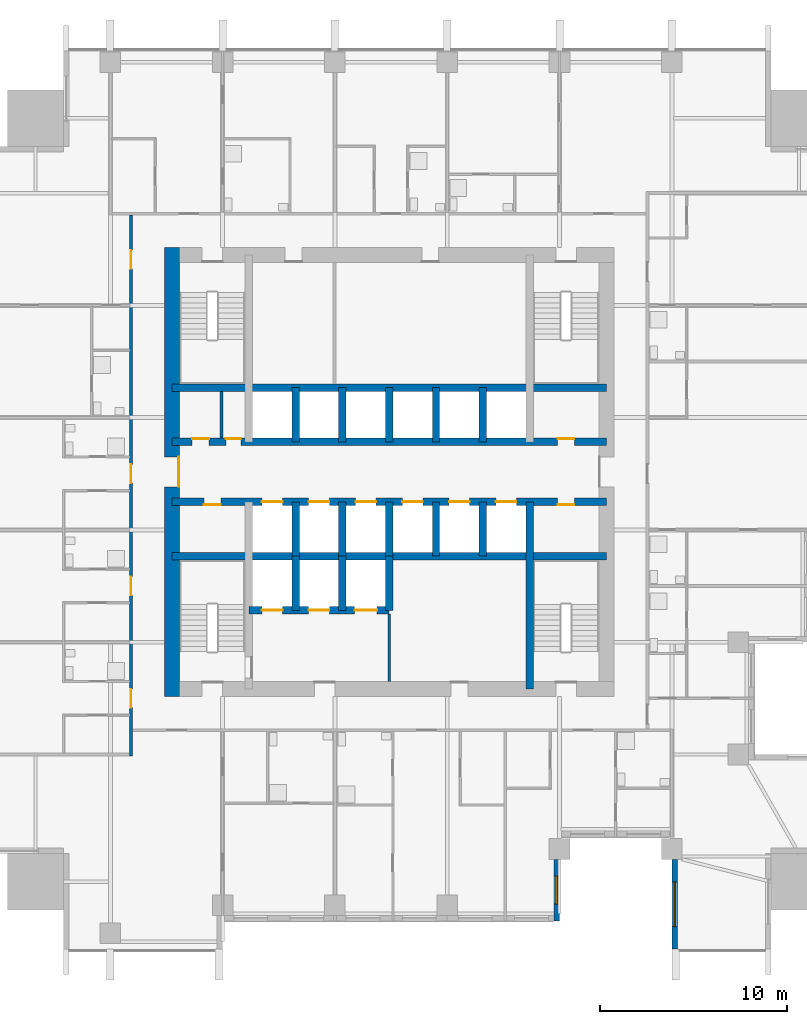
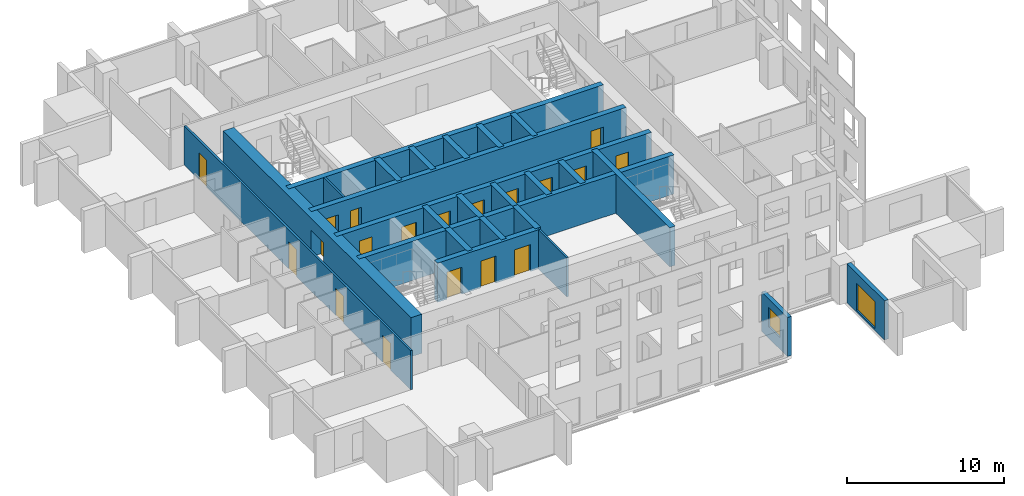
# One storey, part 5 of 11: 25 walls, 19 doors, 2 windows, 21 openings.
"""IFC4 building model written with IfcOpenShell, lengths in metres."""

import ifcopenshell
import ifcopenshell.guid

model = None  # the IFC model being written
_history = None  # IfcOwnerHistory: only IFC2X3 demands one
_inside = {}  # id of a spatial element -> (the spatial element, [elements in it])
_under = {}  # id of a project, library or spatial element -> (it, [spatial elements below it])
_declared = {}  # id of a project -> (the project, [libraries it declares])
_typed = {}  # id of a type object -> (the type object, [elements of that type])
_made_of = {}  # id of a material, layer set ... -> (it, [elements and type objects made of it])


def new_model(schema):
    """Start an empty IFC model of exactly this schema.

    Asked for "IFC4X3", IfcOpenShell would pick the latest addendum, in which some entities
    have other attributes; the version numbers below select the first issue.
    IFC2X3 requires an IfcOwnerHistory on every rooted entity: one is made here for all.
    """
    global model, _history
    if schema == "IFC4X3":
        model = ifcopenshell.file(schema_version=(4, 3, 0, 0))
    else:
        model = ifcopenshell.file(schema=schema)
    _inside.clear()
    _under.clear()
    _declared.clear()
    _typed.clear()
    _made_of.clear()
    _history = None
    if model.schema == "IFC2X3":
        org = make("IfcOrganization", Name="unknown")
        user = make(
            "IfcPersonAndOrganization",
            ThePerson=make("IfcPerson", FamilyName="unknown"),
            TheOrganization=org,
        )
        app = make(
            "IfcApplication",
            ApplicationDeveloper=org,
            Version="unknown",
            ApplicationFullName="unknown",
            ApplicationIdentifier="unknown",
        )
        _history = make(
            "IfcOwnerHistory",
            OwningUser=user,
            OwningApplication=app,
            ChangeAction="ADDED",
            CreationDate=0,
        )
    return model


def make(cls, **values):
    """One entity of the class cls with the attributes given. An attribute that is None is left unset."""
    return model.create_entity(
        cls, **{name: value for name, value in values.items() if value is not None}
    )


def rooted(cls, **values):
    """An entity with a GlobalId (a new one), such as an element, a storey or a relation."""
    return make(cls, GlobalId=ifcopenshell.guid.new(), OwnerHistory=_history, **values)


def si_unit(unit_type, name, prefix=None):
    """IfcSIUnit, for example si_unit("LENGTHUNIT", "METRE", prefix="MILLI")."""
    return make("IfcSIUnit", UnitType=unit_type, Prefix=prefix, Name=name)


def assignment(units):
    """IfcUnitAssignment: the units of a project."""
    return None if units is None else make("IfcUnitAssignment", Units=units)


def point(xyz):
    """IfcCartesianPoint."""
    return None if xyz is None else make("IfcCartesianPoint", Coordinates=xyz)


def direction(xyz):
    """IfcDirection."""
    return None if xyz is None else make("IfcDirection", DirectionRatios=xyz)


def frame(location, z_axis=None, x_axis=None):
    """IfcAxis2Placement3D, a coordinate frame: its origin and axes. An axis left out is left unset."""
    return make(
        "IfcAxis2Placement3D",
        Location=point(location),
        Axis=direction(z_axis),
        RefDirection=direction(x_axis),
    )


def frame_2d(location, x_axis=None):
    """IfcAxis2Placement2D, a coordinate frame in the plane: its origin and x axis."""
    return make(
        "IfcAxis2Placement2D", Location=point(location), RefDirection=direction(x_axis)
    )


def origin():
    """The frame at (0, 0, 0) with its axes left unset."""
    return frame((0.0, 0.0, 0.0))


def place(relative_to, where):
    """IfcLocalPlacement: puts the frame where relative to a parent placement (None: the world)."""
    return make(
        "IfcLocalPlacement", PlacementRelTo=relative_to, RelativePlacement=where
    )


def context(
    kind, dimensions, precision=None, world=None, true_north=None, identifier=None
):
    """IfcGeometricRepresentationContext, for example the 3D "Model" context."""
    return make(
        "IfcGeometricRepresentationContext",
        ContextIdentifier=identifier,
        ContextType=kind,
        CoordinateSpaceDimension=dimensions,
        Precision=precision,
        WorldCoordinateSystem=world,
        TrueNorth=true_north,
    )


def subcontext(parent, identifier, kind, view, scale=None):
    """IfcGeometricRepresentationSubContext, for example "Body" below "Model"."""
    return make(
        "IfcGeometricRepresentationSubContext",
        ContextIdentifier=identifier,
        ContextType=kind,
        ParentContext=parent,
        TargetScale=scale,
        TargetView=view,
    )


def project(units=None, contexts=None):
    """IfcProject with its units and contexts."""
    return rooted(
        "IfcProject",
        Name="project",
        RepresentationContexts=contexts,
        UnitsInContext=assignment(units),
    )


def spatial(cls, under=None, at=None, **own):
    """A site, building, storey or space (cls), placed at a placement, below another one or the project."""
    s = rooted(cls, ObjectPlacement=at, **own)
    if under is not None:
        _under.setdefault(under.id(), (under, []))[1].append(s)
    return s


def profile(cls, at=None, kind="AREA", **sizes):
    """A parametric profile (cls). Its sizes go by their IFC names, for example OverallWidth=200.0."""
    return make(cls, ProfileType=kind, Position=at, **sizes)


def rectangle(**sizes):
    """IfcRectangleProfileDef."""
    return profile("IfcRectangleProfileDef", **sizes)


def extrude(swept, where, along, depth):
    """IfcExtrudedAreaSolid: the profile swept, set in the frame where, extruded along a direction by depth."""
    return make(
        "IfcExtrudedAreaSolid",
        SweptArea=swept,
        Position=where,
        ExtrudedDirection=direction(along),
        Depth=depth,
    )


def shape(context_of_items, identifier, shape_type, items):
    """IfcShapeRepresentation: the items that make up one representation, for example the "Body"."""
    return make(
        "IfcShapeRepresentation",
        ContextOfItems=context_of_items,
        RepresentationIdentifier=identifier,
        RepresentationType=shape_type,
        Items=items,
    )


def material(Name=None, Category=None):
    """IfcMaterial."""
    return make("IfcMaterial", Name=Name, Category=Category)


def layer(
    of_material, thickness, ventilated=None, Name=None, Category=None, Priority=None
):
    """IfcMaterialLayer: one layer of a wall or slab, of a material (None: an air gap)."""
    return make(
        "IfcMaterialLayer",
        Material=of_material,
        LayerThickness=thickness,
        IsVentilated=ventilated,
        Name=Name,
        Category=Category,
        Priority=Priority,
    )


def layer_set(layers, Name=None):
    """IfcMaterialLayerSet."""
    return make("IfcMaterialLayerSet", MaterialLayers=layers, LayerSetName=Name)


def made_of(thing, what):
    """Note that an element or type object is made of a material, layer set ...; save() writes the relation."""
    if what is not None:
        _made_of.setdefault(what.id(), (what, []))[1].append(thing)
    return thing


def type_object(cls, material=None, **own):
    """A type object (cls), such as IfcWallType, which elements share."""
    return made_of(rooted(cls, **own), material)


def element(
    cls,
    number,
    at=None,
    inside=None,
    cuts=None,
    type_object=None,
    material=None,
    context=None,
    identifier="Body",
    shape_type=None,
    held_by="IfcProductDefinitionShape",
    body=None,
    shapes=None,
    **own,
):
    """One element of the class cls, such as IfcWall. Its Tag is "e" and its number.

    at: its placement. inside: the storey or other place that contains it. cuts: it is an
    opening in that element (IfcRelVoidsElement). A single representation is given by context,
    identifier, shape_type and body (its items); several are given by shapes. held_by: the class
    of the entity that holds the representations. save() writes the other relations.
    """
    e = rooted(cls, Tag="e%d" % number, ObjectPlacement=at, **own)
    if body is not None:
        shapes = [shape(context, identifier, shape_type, body)]
    if shapes is not None:
        e.Representation = make(held_by, Representations=shapes)
    if inside is not None:
        _inside.setdefault(inside.id(), (inside, []))[1].append(e)
    if cuts is not None:
        rooted(
            "IfcRelVoidsElement", RelatingBuildingElement=cuts, RelatedOpeningElement=e
        )
    if type_object is not None:
        _typed.setdefault(type_object.id(), (type_object, []))[1].append(e)
    return made_of(e, material)


def fill(opening, filler):
    """IfcRelFillsElement: the door or window that sits in an opening."""
    return rooted(
        "IfcRelFillsElement",
        RelatingOpeningElement=opening,
        RelatedBuildingElement=filler,
    )


def aggregate(whole, parts):
    """IfcRelAggregates: a whole, such as a stair, and the parts it consists of."""
    return rooted("IfcRelAggregates", RelatingObject=whole, RelatedObjects=parts)


def save(model, path):
    """Write the relations noted so far, then the file.

    IfcRelAggregates (storeys below a building ...), IfcRelContainedInSpatialStructure (elements
    in a storey), IfcRelDefinesByType, IfcRelAssociatesMaterial and IfcRelDeclares: one each for
    every whole, place, type object, material and project.
    """
    for whole, parts in _under.values():
        aggregate(whole, parts)
    for where, things in _inside.values():
        rooted(
            "IfcRelContainedInSpatialStructure",
            RelatedElements=things,
            RelatingStructure=where,
        )
    for kind, things in _typed.values():
        rooted("IfcRelDefinesByType", RelatedObjects=things, RelatingType=kind)
    for what, things in _made_of.values():
        rooted("IfcRelAssociatesMaterial", RelatedObjects=things, RelatingMaterial=what)
    for by, libraries in _declared.values():
        rooted("IfcRelDeclares", RelatingContext=by, RelatedDefinitions=libraries)
    model.write(path)


model = new_model("IFC4")

# Units and contexts
model_context = context("Model", 3, precision=1e-05, world=origin(), true_north=direction((0.0, 1.0)))
body_context = subcontext(model_context, "Body", "Model", "MODEL_VIEW")
ifc_project = project(units=[si_unit("LENGTHUNIT", "METRE"), si_unit("AREAUNIT", "SQUARE_METRE"), si_unit("VOLUMEUNIT", "CUBIC_METRE"), si_unit("PLANEANGLEUNIT", "RADIAN"), si_unit("MASSUNIT", "GRAM", prefix="KILO")], contexts=[model_context])

# Site, building, storey
site_placement = place(None, origin())
site = spatial("IfcSite", under=ifc_project, at=site_placement, CompositionType="ELEMENT")
building_placement = place(site_placement, origin())
building = spatial("IfcBuilding", under=site, at=building_placement, Name="Amberfall Residences", CompositionType="ELEMENT")
storey_placement = place(building_placement, frame((0.0, 0.0, 98.5)))
storey = spatial("IfcBuildingStorey", under=building, at=storey_placement, Name="L26", CompositionType="ELEMENT", Elevation=98.5)

# Wall, opening, window
ifc_material_1 = material(Name="Pale stone cladding on insulated backing", Category="masonry")
ifc_layer_1 = layer(ifc_material_1, 0.300048828125)
ifc_layer_set_1 = layer_set([ifc_layer_1], Name="Bronze clad wall 300")
wall_type_1 = type_object("IfcWallType", Name="Bronze clad wall 300", PredefinedType="SOLIDWALL", material=ifc_layer_set_1)
wall_1_placement = place(storey_placement, frame((83.449951171875, 21.5, 0.0), z_axis=(0.0, 0.0, 1.0), x_axis=(0.0, 1.0, 0.0)))
wall_1 = element("IfcWall", 1, at=wall_1_placement, inside=storey, type_object=wall_type_1, Name="External wall L26 S", PredefinedType="SOLIDWALL", context=body_context, shape_type="SweptSolid", body=[
    extrude(rectangle(XDim=3.300048828125, YDim=0.300048828125, at=frame_2d((1.64990234375, 0.0))), origin(), (0.0, 0.0, 1.0), 3.050048828125),
])
opening_1_placement = place(wall_1_placement, frame((0.89990234375, 0.0, 0.89990234375)))
opening_1 = element("IfcOpeningElement", 2, at=opening_1_placement, cuts=wall_1, Name="Opening WN1", PredefinedType="OPENING", context=body_context, shape_type="SweptSolid", body=[
    extrude(rectangle(XDim=1.5, YDim=1.5, at=frame_2d((0.75, 0.75))), frame((0.0, 0.159912109375, 0.0), z_axis=(0.0, -1.0, 0.0), x_axis=(1.0, 0.0, 0.0)), (0.0, 0.0, 1.0), 0.320068359375),
])
ifc_material_2 = material(Name="Bronze aluminium framed glazing", Category="aluminium")
window_type_1 = type_object("IfcWindowType", Name="Window 1500 x 1500 bronze", PartitioningType="DOUBLE_PANEL_VERTICAL", PredefinedType="WINDOW", material=ifc_material_2)
window_1_placement = place(opening_1_placement, origin())
window_1 = element("IfcWindow", 3, at=window_1_placement, inside=storey, type_object=window_type_1, Name="Window L26 S", OverallHeight=1.5, OverallWidth=1.5, PartitioningType="DOUBLE_PANEL_VERTICAL", PredefinedType="WINDOW", context=body_context, shape_type="SweptSolid", body=[
    extrude(rectangle(XDim=1.5, YDim=1.5, at=frame_2d((0.75, 0.75))), frame((0.0, 0.030029296875, 0.0), z_axis=(0.0, -1.0, 0.0), x_axis=(1.0, 0.0, 0.0)), (0.0, 0.0, 1.0), 0.06005859375),
])
fill(opening_1, window_1)

wall_2_placement = place(storey_placement, frame((89.75, 24.800048828125, 0.0), z_axis=(0.0, 0.0, 1.0), x_axis=(0.0, -1.0, 0.0)))
wall_2 = element("IfcWall", 4, at=wall_2_placement, inside=storey, type_object=wall_type_1, Name="External wall L26 S", PredefinedType="SOLIDWALL", context=body_context, shape_type="SweptSolid", body=[
    extrude(rectangle(XDim=4.800048828125, YDim=0.300048828125, at=frame_2d((2.39990234375, 0.0))), origin(), (0.0, 0.0, 1.0), 3.050048828125),
])
opening_2_placement = place(wall_2_placement, frame((1.199951171875, 0.0, 0.14990234375)))
opening_2 = element("IfcOpeningElement", 5, at=opening_2_placement, cuts=wall_2, Name="Opening WN5", PredefinedType="OPENING", context=body_context, shape_type="SweptSolid", body=[
    extrude(rectangle(XDim=2.39990234375, YDim=2.10009765625, at=frame_2d((1.199951171875, 1.050048828125))), frame((0.0, 0.159912109375, 0.0), z_axis=(0.0, -1.0, 0.0), x_axis=(1.0, 0.0, 0.0)), (0.0, 0.0, 1.0), 0.320068359375),
])
window_type_2 = type_object("IfcWindowType", Name="Glazed opening 2400 x 2100 bronze", PartitioningType="DOUBLE_PANEL_VERTICAL", PredefinedType="WINDOW", material=ifc_material_2)
window_2_placement = place(opening_2_placement, origin())
window_2 = element("IfcWindow", 6, at=window_2_placement, inside=storey, type_object=window_type_2, Name="Window L26 S", OverallHeight=2.10009765625, OverallWidth=2.39990234375, PartitioningType="DOUBLE_PANEL_VERTICAL", PredefinedType="WINDOW", context=body_context, shape_type="SweptSolid", body=[
    extrude(rectangle(XDim=2.39990234375, YDim=2.10009765625, at=frame_2d((1.199951171875, 1.050048828125))), frame((0.0, 0.030029296875, 0.0), z_axis=(0.0, -1.0, 0.0), x_axis=(1.0, 0.0, 0.0)), (0.0, 0.0, 1.0), 0.06005859375),
])
fill(opening_2, window_2)

# Wall
ifc_material_3 = material(Name="Concrete C70", Category="concrete")
ifc_layer_2 = layer(ifc_material_3, 0.39990234375)
ifc_layer_set_2 = layer_set([ifc_layer_2], Name="Core wall 400 C70")
wall_type_2 = type_object("IfcWallType", Name="Core wall 400 C70", PredefinedType="SHEAR", material=ifc_layer_set_2)
wall_3_placement = place(storey_placement, frame((62.89990234375, 41.0, 0.0), z_axis=(0.0, 0.0, 1.0), x_axis=(1.0, 0.0, 0.0)))
element("IfcWall", 7, at=wall_3_placement, inside=storey, type_object=wall_type_2, Name="Core wall RW4 L26 H75", PredefinedType="SHEAR", context=body_context, shape_type="SweptSolid", body=[
    extrude(rectangle(XDim=23.2001953125, YDim=0.39990234375, at=frame_2d((11.60009765625, 0.0))), origin(), (0.0, 0.0, 1.0), 3.050048828125),
])

# Wall, openings, doors
wall_4_placement = place(storey_placement, frame((62.89990234375, 43.89990234375, 0.0), z_axis=(0.0, 0.0, 1.0), x_axis=(1.0, 0.0, 0.0)))
wall_4 = element("IfcWall", 8, at=wall_4_placement, inside=storey, type_object=wall_type_2, Name="Core wall RW4 L26 H104", PredefinedType="SHEAR", context=body_context, shape_type="SweptSolid", body=[
    extrude(rectangle(XDim=23.2001953125, YDim=0.39990234375, at=frame_2d((11.60009765625, 0.0))), origin(), (0.0, 0.0, 1.0), 3.050048828125),
])
opening_3_placement = place(wall_4_placement, frame((1.699951171875, 0.0, 0.0)))
opening_3 = element("IfcOpeningElement", 9, at=opening_3_placement, cuts=wall_4, Name="Opening RD1", PredefinedType="OPENING", context=body_context, shape_type="SweptSolid", body=[
    extrude(rectangle(XDim=0.89990234375, YDim=2.10009765625, at=frame_2d((0.449951171875, 1.050048828125))), frame((0.0, 0.2099609375, 0.0), z_axis=(0.0, -1.0, 0.0), x_axis=(1.0, 0.0, 0.0)), (0.0, 0.0, 1.0), 0.419921875),
])
opening_4_placement = place(wall_4_placement, frame((20.60009765625, 0.0, 0.0)))
opening_4 = element("IfcOpeningElement", 10, at=opening_4_placement, cuts=wall_4, Name="Opening RD1", PredefinedType="OPENING", context=body_context, shape_type="SweptSolid", body=[
    extrude(rectangle(XDim=0.89990234375, YDim=2.10009765625, at=frame_2d((0.449951171875, 1.050048828125))), frame((0.0, 0.2099609375, 0.0), z_axis=(0.0, -1.0, 0.0), x_axis=(1.0, 0.0, 0.0)), (0.0, 0.0, 1.0), 0.419921875),
])
opening_5_placement = place(wall_4_placement, frame((4.800048828125, 0.0, 0.0)))
opening_5 = element("IfcOpeningElement", 11, at=opening_5_placement, cuts=wall_4, Name="Opening LD1", PredefinedType="OPENING", context=body_context, shape_type="SweptSolid", body=[
    extrude(rectangle(XDim=1.10009765625, YDim=2.10009765625, at=frame_2d((0.550048828125, 1.050048828125))), frame((0.0, 0.2099609375, 0.0), z_axis=(0.0, -1.0, 0.0), x_axis=(1.0, 0.0, 0.0)), (0.0, 0.0, 1.0), 0.419921875),
])
opening_6_placement = place(wall_4_placement, frame((7.300048828125, 0.0, 0.0)))
opening_6 = element("IfcOpeningElement", 12, at=opening_6_placement, cuts=wall_4, Name="Opening LD1", PredefinedType="OPENING", context=body_context, shape_type="SweptSolid", body=[
    extrude(rectangle(XDim=1.10009765625, YDim=2.10009765625, at=frame_2d((0.550048828125, 1.050048828125))), frame((0.0, 0.2099609375, 0.0), z_axis=(0.0, -1.0, 0.0), x_axis=(1.0, 0.0, 0.0)), (0.0, 0.0, 1.0), 0.419921875),
])
opening_7_placement = place(wall_4_placement, frame((9.800048828125, 0.0, 0.0)))
opening_7 = element("IfcOpeningElement", 13, at=opening_7_placement, cuts=wall_4, Name="Opening LD1", PredefinedType="OPENING", context=body_context, shape_type="SweptSolid", body=[
    extrude(rectangle(XDim=1.10009765625, YDim=2.10009765625, at=frame_2d((0.550048828125, 1.050048828125))), frame((0.0, 0.2099609375, 0.0), z_axis=(0.0, -1.0, 0.0), x_axis=(1.0, 0.0, 0.0)), (0.0, 0.0, 1.0), 0.419921875),
])
opening_8_placement = place(wall_4_placement, frame((12.300048828125, 0.0, 0.0)))
opening_8 = element("IfcOpeningElement", 14, at=opening_8_placement, cuts=wall_4, Name="Opening LD1", PredefinedType="OPENING", context=body_context, shape_type="SweptSolid", body=[
    extrude(rectangle(XDim=1.10009765625, YDim=2.10009765625, at=frame_2d((0.550048828125, 1.050048828125))), frame((0.0, 0.2099609375, 0.0), z_axis=(0.0, -1.0, 0.0), x_axis=(1.0, 0.0, 0.0)), (0.0, 0.0, 1.0), 0.419921875),
])
opening_9_placement = place(wall_4_placement, frame((14.800048828125, 0.0, 0.0)))
opening_9 = element("IfcOpeningElement", 15, at=opening_9_placement, cuts=wall_4, Name="Opening LD1", PredefinedType="OPENING", context=body_context, shape_type="SweptSolid", body=[
    extrude(rectangle(XDim=1.10009765625, YDim=2.10009765625, at=frame_2d((0.550048828125, 1.050048828125))), frame((0.0, 0.2099609375, 0.0), z_axis=(0.0, -1.0, 0.0), x_axis=(1.0, 0.0, 0.0)), (0.0, 0.0, 1.0), 0.419921875),
])
opening_10_placement = place(wall_4_placement, frame((17.300048828125, 0.0, 0.0)))
opening_10 = element("IfcOpeningElement", 16, at=opening_10_placement, cuts=wall_4, Name="Opening LD1", PredefinedType="OPENING", context=body_context, shape_type="SweptSolid", body=[
    extrude(rectangle(XDim=1.10009765625, YDim=2.10009765625, at=frame_2d((0.550048828125, 1.050048828125))), frame((0.0, 0.2099609375, 0.0), z_axis=(0.0, -1.0, 0.0), x_axis=(1.0, 0.0, 0.0)), (0.0, 0.0, 1.0), 0.419921875),
])
ifc_material_4 = material(Name="Steel fire door set", Category="steel")
door_type_1 = type_object("IfcDoorType", Name="Lift landing door 1100 x 2100", OperationType="DOUBLE_DOOR_SLIDING", PredefinedType="DOOR", material=ifc_material_4)
door_1_placement = place(opening_5_placement, origin())
door_1 = element("IfcDoor", 17, at=door_1_placement, inside=storey, type_object=door_type_1, Name="Landing door LP1 L26", OperationType="DOUBLE_DOOR_SLIDING", OverallHeight=2.10009765625, OverallWidth=1.10009765625, PredefinedType="DOOR", context=body_context, shape_type="SweptSolid", body=[
    extrude(rectangle(XDim=1.10009765625, YDim=2.10009765625, at=frame_2d((0.550048828125, 1.050048828125))), frame((0.0, 0.02490234375, 0.0), z_axis=(0.0, -1.0, 0.0), x_axis=(1.0, 0.0, 0.0)), (0.0, 0.0, 1.0), 0.050048828125),
])
fill(opening_5, door_1)
door_2_placement = place(opening_6_placement, origin())
door_2 = element("IfcDoor", 18, at=door_2_placement, inside=storey, type_object=door_type_1, Name="Landing door LP2 L26", OperationType="DOUBLE_DOOR_SLIDING", OverallHeight=2.10009765625, OverallWidth=1.10009765625, PredefinedType="DOOR", context=body_context, shape_type="SweptSolid", body=[
    extrude(rectangle(XDim=1.10009765625, YDim=2.10009765625, at=frame_2d((0.550048828125, 1.050048828125))), frame((0.0, 0.02490234375, 0.0), z_axis=(0.0, -1.0, 0.0), x_axis=(1.0, 0.0, 0.0)), (0.0, 0.0, 1.0), 0.050048828125),
])
fill(opening_6, door_2)
door_3_placement = place(opening_7_placement, origin())
door_3 = element("IfcDoor", 19, at=door_3_placement, inside=storey, type_object=door_type_1, Name="Landing door LP3 L26", OperationType="DOUBLE_DOOR_SLIDING", OverallHeight=2.10009765625, OverallWidth=1.10009765625, PredefinedType="DOOR", context=body_context, shape_type="SweptSolid", body=[
    extrude(rectangle(XDim=1.10009765625, YDim=2.10009765625, at=frame_2d((0.550048828125, 1.050048828125))), frame((0.0, 0.02490234375, 0.0), z_axis=(0.0, -1.0, 0.0), x_axis=(1.0, 0.0, 0.0)), (0.0, 0.0, 1.0), 0.050048828125),
])
fill(opening_7, door_3)
door_4_placement = place(opening_8_placement, origin())
door_4 = element("IfcDoor", 20, at=door_4_placement, inside=storey, type_object=door_type_1, Name="Landing door LP4 L26", OperationType="DOUBLE_DOOR_SLIDING", OverallHeight=2.10009765625, OverallWidth=1.10009765625, PredefinedType="DOOR", context=body_context, shape_type="SweptSolid", body=[
    extrude(rectangle(XDim=1.10009765625, YDim=2.10009765625, at=frame_2d((0.550048828125, 1.050048828125))), frame((0.0, 0.02490234375, 0.0), z_axis=(0.0, -1.0, 0.0), x_axis=(1.0, 0.0, 0.0)), (0.0, 0.0, 1.0), 0.050048828125),
])
fill(opening_8, door_4)
door_5_placement = place(opening_9_placement, origin())
door_5 = element("IfcDoor", 21, at=door_5_placement, inside=storey, type_object=door_type_1, Name="Landing door LP5 L26", OperationType="DOUBLE_DOOR_SLIDING", OverallHeight=2.10009765625, OverallWidth=1.10009765625, PredefinedType="DOOR", context=body_context, shape_type="SweptSolid", body=[
    extrude(rectangle(XDim=1.10009765625, YDim=2.10009765625, at=frame_2d((0.550048828125, 1.050048828125))), frame((0.0, 0.02490234375, 0.0), z_axis=(0.0, -1.0, 0.0), x_axis=(1.0, 0.0, 0.0)), (0.0, 0.0, 1.0), 0.050048828125),
])
fill(opening_9, door_5)
door_6_placement = place(opening_10_placement, origin())
door_6 = element("IfcDoor", 22, at=door_6_placement, inside=storey, type_object=door_type_1, Name="Landing door LP6 L26", OperationType="DOUBLE_DOOR_SLIDING", OverallHeight=2.10009765625, OverallWidth=1.10009765625, PredefinedType="DOOR", context=body_context, shape_type="SweptSolid", body=[
    extrude(rectangle(XDim=1.10009765625, YDim=2.10009765625, at=frame_2d((0.550048828125, 1.050048828125))), frame((0.0, 0.02490234375, 0.0), z_axis=(0.0, -1.0, 0.0), x_axis=(1.0, 0.0, 0.0)), (0.0, 0.0, 1.0), 0.050048828125),
])
fill(opening_10, door_6)
door_type_2 = type_object("IfcDoorType", Name="Service room door 900 x 2100", OperationType="SINGLE_SWING_LEFT", PredefinedType="DOOR", material=ifc_material_4)
door_7_placement = place(opening_3_placement, origin())
door_7 = element("IfcDoor", 23, at=door_7_placement, inside=storey, type_object=door_type_2, Name="RD1 L26", OperationType="SINGLE_SWING_LEFT", OverallHeight=2.10009765625, OverallWidth=0.89990234375, PredefinedType="DOOR", context=body_context, shape_type="SweptSolid", body=[
    extrude(rectangle(XDim=0.89990234375, YDim=2.10009765625, at=frame_2d((0.449951171875, 1.050048828125))), frame((0.0, -0.1376953125, 0.0), z_axis=(0.0, -1.0, 0.0), x_axis=(1.0, 0.0, 0.0)), (0.0, 0.0, 1.0), 0.050048828125),
])
fill(opening_3, door_7)
door_8_placement = place(opening_4_placement, origin())
door_8 = element("IfcDoor", 24, at=door_8_placement, inside=storey, type_object=door_type_2, Name="RD1 L26", OperationType="SINGLE_SWING_LEFT", OverallHeight=2.10009765625, OverallWidth=0.89990234375, PredefinedType="DOOR", context=body_context, shape_type="SweptSolid", body=[
    extrude(rectangle(XDim=0.89990234375, YDim=2.10009765625, at=frame_2d((0.449951171875, 1.050048828125))), frame((0.0, -0.1376953125, 0.0), z_axis=(0.0, -1.0, 0.0), x_axis=(1.0, 0.0, 0.0)), (0.0, 0.0, 1.0), 0.050048828125),
])
fill(opening_4, door_8)

wall_5_placement = place(storey_placement, frame((62.89990234375, 47.10009765625, 0.0), z_axis=(0.0, 0.0, 1.0), x_axis=(1.0, 0.0, 0.0)))
wall_5 = element("IfcWall", 25, at=wall_5_placement, inside=storey, type_object=wall_type_2, Name="Core wall RW4 L26 H136", PredefinedType="SHEAR", context=body_context, shape_type="SweptSolid", body=[
    extrude(rectangle(XDim=23.2001953125, YDim=0.39990234375, at=frame_2d((11.60009765625, 0.0))), origin(), (0.0, 0.0, 1.0), 3.050048828125),
])
opening_11_placement = place(wall_5_placement, frame((1.070068359375, 0.0, 0.0)))
opening_11 = element("IfcOpeningElement", 26, at=opening_11_placement, cuts=wall_5, Name="Opening RD1", PredefinedType="OPENING", context=body_context, shape_type="SweptSolid", body=[
    extrude(rectangle(XDim=0.89990234375, YDim=2.10009765625, at=frame_2d((0.449951171875, 1.050048828125))), frame((0.0, 0.2099609375, 0.0), z_axis=(0.0, -1.0, 0.0), x_axis=(1.0, 0.0, 0.0)), (0.0, 0.0, 1.0), 0.419921875),
])
opening_12_placement = place(wall_5_placement, frame((2.8701171875, 0.0, 0.0)))
opening_12 = element("IfcOpeningElement", 27, at=opening_12_placement, cuts=wall_5, Name="Opening RD2", PredefinedType="OPENING", context=body_context, shape_type="SweptSolid", body=[
    extrude(rectangle(XDim=0.800048828125, YDim=2.10009765625, at=frame_2d((0.39990234375, 1.050048828125))), frame((0.0, 0.2099609375, 0.0), z_axis=(0.0, -1.0, 0.0), x_axis=(1.0, 0.0, 0.0)), (0.0, 0.0, 1.0), 0.419921875),
])
opening_13_placement = place(wall_5_placement, frame((20.60009765625, 0.0, 0.0)))
opening_13 = element("IfcOpeningElement", 28, at=opening_13_placement, cuts=wall_5, Name="Opening RD1", PredefinedType="OPENING", context=body_context, shape_type="SweptSolid", body=[
    extrude(rectangle(XDim=0.89990234375, YDim=2.10009765625, at=frame_2d((0.449951171875, 1.050048828125))), frame((0.0, 0.2099609375, 0.0), z_axis=(0.0, -1.0, 0.0), x_axis=(1.0, 0.0, 0.0)), (0.0, 0.0, 1.0), 0.419921875),
])
door_type_3 = type_object("IfcDoorType", Name="Service room door 800 x 2100", OperationType="SINGLE_SWING_LEFT", PredefinedType="DOOR", material=ifc_material_4)
door_9_placement = place(opening_12_placement, origin())
door_9 = element("IfcDoor", 29, at=door_9_placement, inside=storey, type_object=door_type_3, Name="RD2 L26", OperationType="SINGLE_SWING_RIGHT", OverallHeight=2.10009765625, OverallWidth=0.800048828125, PredefinedType="DOOR", context=body_context, shape_type="SweptSolid", body=[
    extrude(rectangle(XDim=0.800048828125, YDim=2.10009765625, at=frame_2d((0.39990234375, 1.050048828125))), frame((0.0, 0.1875, 0.0), z_axis=(0.0, -1.0, 0.0), x_axis=(1.0, 0.0, 0.0)), (0.0, 0.0, 1.0), 0.050048828125),
])
fill(opening_12, door_9)
door_10_placement = place(opening_11_placement, origin())
door_10 = element("IfcDoor", 30, at=door_10_placement, inside=storey, type_object=door_type_2, Name="RD1 L26", OperationType="SINGLE_SWING_LEFT", OverallHeight=2.10009765625, OverallWidth=0.89990234375, PredefinedType="DOOR", context=body_context, shape_type="SweptSolid", body=[
    extrude(rectangle(XDim=0.89990234375, YDim=2.10009765625, at=frame_2d((0.449951171875, 1.050048828125))), frame((0.0, 0.1875, 0.0), z_axis=(0.0, -1.0, 0.0), x_axis=(1.0, 0.0, 0.0)), (0.0, 0.0, 1.0), 0.050048828125),
])
fill(opening_11, door_10)
door_11_placement = place(opening_13_placement, origin())
door_11 = element("IfcDoor", 31, at=door_11_placement, inside=storey, type_object=door_type_2, Name="RD1 L26", OperationType="SINGLE_SWING_LEFT", OverallHeight=2.10009765625, OverallWidth=0.89990234375, PredefinedType="DOOR", context=body_context, shape_type="SweptSolid", body=[
    extrude(rectangle(XDim=0.89990234375, YDim=2.10009765625, at=frame_2d((0.449951171875, 1.050048828125))), frame((0.0, 0.1875, 0.0), z_axis=(0.0, -1.0, 0.0), x_axis=(1.0, 0.0, 0.0)), (0.0, 0.0, 1.0), 0.050048828125),
])
fill(opening_13, door_11)

# Walls
wall_6_placement = place(storey_placement, frame((62.89990234375, 50.0, 0.0), z_axis=(0.0, 0.0, 1.0), x_axis=(1.0, 0.0, 0.0)))
element("IfcWall", 32, at=wall_6_placement, inside=storey, type_object=wall_type_2, Name="Core wall RW4 L26 H165", PredefinedType="SHEAR", context=body_context, shape_type="SweptSolid", body=[
    extrude(rectangle(XDim=23.2001953125, YDim=0.39990234375, at=frame_2d((11.60009765625, 0.0))), origin(), (0.0, 0.0, 1.0), 3.050048828125),
])
wall_7_placement = place(storey_placement, frame((82.0, 33.89990234375, 0.0), z_axis=(0.0, 0.0, 1.0), x_axis=(0.0, 1.0, 0.0)))
element("IfcWall", 33, at=wall_7_placement, inside=storey, type_object=wall_type_2, Name="Core wall RW4 L26 V195S", PredefinedType="SHEAR", context=body_context, shape_type="SweptSolid", body=[
    extrude(rectangle(XDim=10.0, YDim=0.39990234375, at=frame_2d((5.0, 0.0))), origin(), (0.0, 0.0, 1.0), 3.050048828125),
])
for number, where, z_axis, x_axis, name in (
    (34, (69.5, 41.0, 0.0), (0.0, 0.0, 1.0), (0.0, 1.0, 0.0), "Core wall RW4 L26 LPD1"),
    (35, (69.5, 47.10009765625, 0.0), (0.0, 0.0, 1.0), (0.0, 1.0, 0.0), "Core wall RW4 L26 HPD1"),
    (36, (72.0, 41.0, 0.0), (0.0, 0.0, 1.0), (0.0, 1.0, 0.0), "Core wall RW4 L26 LPD2"),
    (37, (72.0, 47.10009765625, 0.0), (0.0, 0.0, 1.0), (0.0, 1.0, 0.0), "Core wall RW4 L26 HPD2"),
    (38, (74.5, 41.0, 0.0), (0.0, 0.0, 1.0), (0.0, 1.0, 0.0), "Core wall RW4 L26 LPD3"),
    (39, (74.5, 47.10009765625, 0.0), (0.0, 0.0, 1.0), (0.0, 1.0, 0.0), "Core wall RW4 L26 HPD3"),
    (40, (77.0, 41.0, 0.0), (0.0, 0.0, 1.0), (0.0, 1.0, 0.0), "Core wall RW4 L26 LPD4"),
    (41, (77.0, 47.10009765625, 0.0), (0.0, 0.0, 1.0), (0.0, 1.0, 0.0), "Core wall RW4 L26 HPD4"),
    (42, (79.5, 41.0, 0.0), (0.0, 0.0, 1.0), (0.0, 1.0, 0.0), "Core wall RW4 L26 LPD5"),
    (43, (79.5, 47.10009765625, 0.0), (0.0, 0.0, 1.0), (0.0, 1.0, 0.0), "Core wall RW4 L26 HPD5"),
):
    element("IfcWall", number, at=place(storey_placement, frame(where, z_axis=z_axis, x_axis=x_axis)), inside=storey, type_object=wall_type_2, Name=name, PredefinedType="SHEAR", context=body_context, shape_type="SweptSolid", body=[
        extrude(rectangle(XDim=2.89990234375, YDim=0.39990234375, at=frame_2d((1.449951171875, 0.0))), origin(), (0.0, 0.0, 1.0), 3.050048828125),
    ])

# Wall, openings, doors
wall_8_placement = place(storey_placement, frame((67.0, 38.10009765625, 0.0), z_axis=(0.0, 0.0, 1.0), x_axis=(1.0, 0.0, 0.0)))
wall_8 = element("IfcWall", 44, at=wall_8_placement, inside=storey, type_object=wall_type_2, Name="Core wall RW4 L26 FFF", PredefinedType="SHEAR", context=body_context, shape_type="SweptSolid", body=[
    extrude(rectangle(XDim=7.5, YDim=0.39990234375, at=frame_2d((3.75, 0.0))), origin(), (0.0, 0.0, 1.0), 3.050048828125),
])
opening_14_placement = place(wall_8_placement, frame((0.699951171875, 0.0, 0.0)))
opening_14 = element("IfcOpeningElement", 45, at=opening_14_placement, cuts=wall_8, Name="Opening LD2", PredefinedType="OPENING", context=body_context, shape_type="SweptSolid", body=[
    extrude(rectangle(XDim=1.10009765625, YDim=2.10009765625, at=frame_2d((0.550048828125, 1.050048828125))), frame((0.0, 0.2099609375, 0.0), z_axis=(0.0, -1.0, 0.0), x_axis=(1.0, 0.0, 0.0)), (0.0, 0.0, 1.0), 0.419921875),
])
opening_15_placement = place(wall_8_placement, frame((3.199951171875, 0.0, 0.0)))
opening_15 = element("IfcOpeningElement", 46, at=opening_15_placement, cuts=wall_8, Name="Opening LD2", PredefinedType="OPENING", context=body_context, shape_type="SweptSolid", body=[
    extrude(rectangle(XDim=1.10009765625, YDim=2.10009765625, at=frame_2d((0.550048828125, 1.050048828125))), frame((0.0, 0.2099609375, 0.0), z_axis=(0.0, -1.0, 0.0), x_axis=(1.0, 0.0, 0.0)), (0.0, 0.0, 1.0), 0.419921875),
])
opening_16_placement = place(wall_8_placement, frame((5.64990234375, 0.0, 0.0)))
opening_16 = element("IfcOpeningElement", 47, at=opening_16_placement, cuts=wall_8, Name="Opening LD3", PredefinedType="OPENING", context=body_context, shape_type="SweptSolid", body=[
    extrude(rectangle(XDim=1.199951171875, YDim=2.10009765625, at=frame_2d((0.60009765625, 1.050048828125))), frame((0.0, 0.2099609375, 0.0), z_axis=(0.0, -1.0, 0.0), x_axis=(1.0, 0.0, 0.0)), (0.0, 0.0, 1.0), 0.419921875),
])
door_type_4 = type_object("IfcDoorType", Name="Firefighting lift landing door 1100 x 2100", OperationType="DOUBLE_DOOR_SLIDING", PredefinedType="DOOR", material=ifc_material_4)
door_12_placement = place(opening_14_placement, origin())
door_12 = element("IfcDoor", 48, at=door_12_placement, inside=storey, type_object=door_type_4, Name="Landing door FF1 L26", OperationType="DOUBLE_DOOR_SLIDING", OverallHeight=2.10009765625, OverallWidth=1.10009765625, PredefinedType="DOOR", context=body_context, shape_type="SweptSolid", body=[
    extrude(rectangle(XDim=1.10009765625, YDim=2.10009765625, at=frame_2d((0.550048828125, 1.050048828125))), frame((0.0, 0.02490234375, 0.0), z_axis=(0.0, -1.0, 0.0), x_axis=(1.0, 0.0, 0.0)), (0.0, 0.0, 1.0), 0.050048828125),
])
fill(opening_14, door_12)
door_13_placement = place(opening_15_placement, origin())
door_13 = element("IfcDoor", 49, at=door_13_placement, inside=storey, type_object=door_type_4, Name="Landing door FF2 L26", OperationType="DOUBLE_DOOR_SLIDING", OverallHeight=2.10009765625, OverallWidth=1.10009765625, PredefinedType="DOOR", context=body_context, shape_type="SweptSolid", body=[
    extrude(rectangle(XDim=1.10009765625, YDim=2.10009765625, at=frame_2d((0.550048828125, 1.050048828125))), frame((0.0, 0.02490234375, 0.0), z_axis=(0.0, -1.0, 0.0), x_axis=(1.0, 0.0, 0.0)), (0.0, 0.0, 1.0), 0.050048828125),
])
fill(opening_15, door_13)
door_type_5 = type_object("IfcDoorType", Name="Service lift landing door 1200 x 2100", OperationType="DOUBLE_DOOR_SLIDING", PredefinedType="DOOR", material=ifc_material_4)
door_14_placement = place(opening_16_placement, origin())
door_14 = element("IfcDoor", 50, at=door_14_placement, inside=storey, type_object=door_type_5, Name="Landing door SL1 L26", OperationType="DOUBLE_DOOR_SLIDING", OverallHeight=2.10009765625, OverallWidth=1.199951171875, PredefinedType="DOOR", context=body_context, shape_type="SweptSolid", body=[
    extrude(rectangle(XDim=1.199951171875, YDim=2.10009765625, at=frame_2d((0.60009765625, 1.050048828125))), frame((0.0, 0.02490234375, 0.0), z_axis=(0.0, -1.0, 0.0), x_axis=(1.0, 0.0, 0.0)), (0.0, 0.0, 1.0), 0.050048828125),
])
fill(opening_16, door_14)

# Walls
for number, where, z_axis, x_axis, name in (
    (51, (69.5, 38.10009765625, 0.0), (0.0, 0.0, 1.0), (0.0, 1.0, 0.0), "Core wall RW4 L26 FFD1"),
    (52, (72.0, 38.10009765625, 0.0), (0.0, 0.0, 1.0), (0.0, 1.0, 0.0), "Core wall RW4 L26 FFD2"),
    (53, (74.5, 38.10009765625, 0.0), (0.0, 0.0, 1.0), (0.0, 1.0, 0.0), "Core wall RW4 L26 FFD3"),
):
    element("IfcWall", number, at=place(storey_placement, frame(where, z_axis=z_axis, x_axis=x_axis)), inside=storey, type_object=wall_type_2, Name=name, PredefinedType="SHEAR", context=body_context, shape_type="SweptSolid", body=[
        extrude(rectangle(XDim=2.89990234375, YDim=0.39990234375, at=frame_2d((1.449951171875, 0.0))), origin(), (0.0, 0.0, 1.0), 3.050048828125),
    ])

# Wall, opening, door
ifc_layer_3 = layer(ifc_material_3, 0.800048828125)
ifc_layer_set_3 = layer_set([ifc_layer_3], Name="Core wall 800 C70")
wall_type_3 = type_object("IfcWallType", Name="Core wall 800 C70", PredefinedType="SHEAR", material=ifc_layer_set_3)
wall_9_placement = place(storey_placement, frame((62.89990234375, 33.5, 0.0), z_axis=(0.0, 0.0, 1.0), x_axis=(0.0, 1.0, 0.0)))
wall_9 = element("IfcWall", 54, at=wall_9_placement, inside=storey, type_object=wall_type_3, Name="Core wall RW3 L26 OW", PredefinedType="SHEAR", context=body_context, shape_type="SweptSolid", body=[
    extrude(rectangle(XDim=24.0, YDim=0.800048828125, at=frame_2d((12.0, 0.0))), origin(), (0.0, 0.0, 1.0), 3.050048828125),
])
opening_17_placement = place(wall_9_placement, frame((11.199951171875, 0.0, 0.0)))
opening_17 = element("IfcOpeningElement", 55, at=opening_17_placement, cuts=wall_9, Name="Opening LB1", PredefinedType="OPENING", context=body_context, shape_type="SweptSolid", body=[
    extrude(rectangle(XDim=1.60009765625, YDim=2.10009765625, at=frame_2d((0.800048828125, 1.050048828125))), frame((0.0, 0.409912109375, 0.0), z_axis=(0.0, -1.0, 0.0), x_axis=(1.0, 0.0, 0.0)), (0.0, 0.0, 1.0), 0.820068359375),
])
door_type_6 = type_object("IfcDoorType", Name="Lift lobby double door 1600 x 2100", OperationType="DOUBLE_DOOR_SINGLE_SWING", PredefinedType="DOOR", material=ifc_material_4)
door_15_placement = place(opening_17_placement, origin())
door_15 = element("IfcDoor", 56, at=door_15_placement, inside=storey, type_object=door_type_6, Name="LB1 L26", OperationType="DOUBLE_DOOR_SINGLE_SWING", OverallHeight=2.10009765625, OverallWidth=1.60009765625, PredefinedType="DOOR", context=body_context, shape_type="SweptSolid", body=[
    extrude(rectangle(XDim=1.60009765625, YDim=2.10009765625, at=frame_2d((0.800048828125, 1.050048828125))), frame((0.0, -0.33740234375, 0.0), z_axis=(0.0, -1.0, 0.0), x_axis=(1.0, 0.0, 0.0)), (0.0, 0.0, 1.0), 0.050048828125),
])
fill(opening_17, door_15)

# Wall, openings, doors
ifc_material_5 = material(Name="Blockwork, plastered", Category="masonry")
ifc_layer_4 = layer(ifc_material_5, 0.14990234375)
ifc_layer_set_4 = layer_set([ifc_layer_4], Name="Flat separating wall 150")
wall_type_4 = type_object("IfcWallType", Name="Flat separating wall 150", PredefinedType="PARTITIONING", material=ifc_layer_set_4)
wall_10_placement = place(storey_placement, frame((60.699951171875, 30.324951171875, 0.0), z_axis=(0.0, 0.0, 1.0), x_axis=(0.0, 1.0, 0.0)))
wall_10 = element("IfcWall", 57, at=wall_10_placement, inside=storey, type_object=wall_type_4, Name="Separating wall 047", PredefinedType="PARTITIONING", context=body_context, shape_type="SweptSolid", body=[
    extrude(rectangle(XDim=28.900146484375, YDim=0.14990234375, at=frame_2d((14.4501953125, 0.0))), origin(), (0.0, 0.0, 1.0), 3.050048828125),
])
opening_18_placement = place(wall_10_placement, frame((2.574951171875, 0.0, 0.0)))
opening_18 = element("IfcOpeningElement", 58, at=opening_18_placement, cuts=wall_10, Name="Opening D40", PredefinedType="OPENING", context=body_context, shape_type="SweptSolid", body=[
    extrude(rectangle(XDim=1.0, YDim=2.10009765625, at=frame_2d((0.5, 1.050048828125))), frame((0.0, 0.0849609375, 0.0), z_axis=(0.0, -1.0, 0.0), x_axis=(1.0, 0.0, 0.0)), (0.0, 0.0, 1.0), 0.169921875),
])
opening_19_placement = place(wall_10_placement, frame((8.574951171875, 0.0, 0.0)))
opening_19 = element("IfcOpeningElement", 59, at=opening_19_placement, cuts=wall_10, Name="Opening D40", PredefinedType="OPENING", context=body_context, shape_type="SweptSolid", body=[
    extrude(rectangle(XDim=1.0, YDim=2.10009765625, at=frame_2d((0.5, 1.050048828125))), frame((0.0, 0.0849609375, 0.0), z_axis=(0.0, -1.0, 0.0), x_axis=(1.0, 0.0, 0.0)), (0.0, 0.0, 1.0), 0.169921875),
])
opening_20_placement = place(wall_10_placement, frame((14.574951171875, 0.0, 0.0)))
opening_20 = element("IfcOpeningElement", 60, at=opening_20_placement, cuts=wall_10, Name="Opening D40", PredefinedType="OPENING", context=body_context, shape_type="SweptSolid", body=[
    extrude(rectangle(XDim=1.0, YDim=2.10009765625, at=frame_2d((0.5, 1.050048828125))), frame((0.0, 0.0849609375, 0.0), z_axis=(0.0, -1.0, 0.0), x_axis=(1.0, 0.0, 0.0)), (0.0, 0.0, 1.0), 0.169921875),
])
opening_21_placement = place(wall_10_placement, frame((26.02490234375, 0.0, 0.0)))
opening_21 = element("IfcOpeningElement", 61, at=opening_21_placement, cuts=wall_10, Name="Opening D40", PredefinedType="OPENING", context=body_context, shape_type="SweptSolid", body=[
    extrude(rectangle(XDim=1.0, YDim=2.10009765625, at=frame_2d((0.5, 1.050048828125))), frame((0.0, 0.0849609375, 0.0), z_axis=(0.0, -1.0, 0.0), x_axis=(1.0, 0.0, 0.0)), (0.0, 0.0, 1.0), 0.169921875),
])
ifc_material_6 = material(Name="Timber, fire-rated", Category="wood")
door_type_7 = type_object("IfcDoorType", Name="Flat entrance door FD60 1000 x 2100", OperationType="SINGLE_SWING_LEFT", PredefinedType="DOOR", material=ifc_material_6)
door_16_placement = place(opening_18_placement, origin())
door_16 = element("IfcDoor", 62, at=door_16_placement, inside=storey, type_object=door_type_7, Name="Door 2610 entrance", OperationType="SINGLE_SWING_LEFT", OverallHeight=2.10009765625, OverallWidth=1.0, PredefinedType="DOOR", context=body_context, shape_type="SweptSolid", body=[
    extrude(rectangle(XDim=1.0, YDim=2.10009765625, at=frame_2d((0.5, 1.050048828125))), frame((0.0, 0.02490234375, 0.0), z_axis=(0.0, -1.0, 0.0), x_axis=(1.0, 0.0, 0.0)), (0.0, 0.0, 1.0), 0.050048828125),
])
fill(opening_18, door_16)
door_17_placement = place(opening_19_placement, origin())
door_17 = element("IfcDoor", 63, at=door_17_placement, inside=storey, type_object=door_type_7, Name="Door 2611 entrance", OperationType="SINGLE_SWING_LEFT", OverallHeight=2.10009765625, OverallWidth=1.0, PredefinedType="DOOR", context=body_context, shape_type="SweptSolid", body=[
    extrude(rectangle(XDim=1.0, YDim=2.10009765625, at=frame_2d((0.5, 1.050048828125))), frame((0.0, 0.02490234375, 0.0), z_axis=(0.0, -1.0, 0.0), x_axis=(1.0, 0.0, 0.0)), (0.0, 0.0, 1.0), 0.050048828125),
])
fill(opening_19, door_17)
door_18_placement = place(opening_20_placement, origin())
door_18 = element("IfcDoor", 64, at=door_18_placement, inside=storey, type_object=door_type_7, Name="Door 2612 entrance", OperationType="SINGLE_SWING_LEFT", OverallHeight=2.10009765625, OverallWidth=1.0, PredefinedType="DOOR", context=body_context, shape_type="SweptSolid", body=[
    extrude(rectangle(XDim=1.0, YDim=2.10009765625, at=frame_2d((0.5, 1.050048828125))), frame((0.0, 0.02490234375, 0.0), z_axis=(0.0, -1.0, 0.0), x_axis=(1.0, 0.0, 0.0)), (0.0, 0.0, 1.0), 0.050048828125),
])
fill(opening_20, door_18)
door_19_placement = place(opening_21_placement, origin())
door_19 = element("IfcDoor", 65, at=door_19_placement, inside=storey, type_object=door_type_7, Name="Door 2613 entrance", OperationType="SINGLE_SWING_LEFT", OverallHeight=2.10009765625, OverallWidth=1.0, PredefinedType="DOOR", context=body_context, shape_type="SweptSolid", body=[
    extrude(rectangle(XDim=1.0, YDim=2.10009765625, at=frame_2d((0.5, 1.050048828125))), frame((0.0, 0.02490234375, 0.0), z_axis=(0.0, -1.0, 0.0), x_axis=(1.0, 0.0, 0.0)), (0.0, 0.0, 1.0), 0.050048828125),
])
fill(opening_21, door_19)

# Walls
ifc_material_7 = material(Name="Concrete blockwork", Category="masonry")
ifc_layer_5 = layer(ifc_material_7, 0.14990234375)
ifc_layer_set_5 = layer_set([ifc_layer_5], Name="Riser wall 150")
wall_type_5 = type_object("IfcWallType", Name="Riser wall 150", PredefinedType="PLUMBINGWALL", material=ifc_layer_set_5)
wall_11_placement = place(storey_placement, frame((74.5, 34.300048828125, 0.0), z_axis=(0.0, 0.0, 1.0), x_axis=(0.0, 1.0, 0.0)))
element("IfcWall", 66, at=wall_11_placement, inside=storey, type_object=wall_type_5, Name="L26 core wall PX", PredefinedType="PLUMBINGWALL", context=body_context, shape_type="SweptSolid", body=[
    extrude(rectangle(XDim=3.599853515625, YDim=0.14990234375, at=frame_2d((1.7998046875, 0.0))), origin(), (0.0, 0.0, 1.0), 3.050048828125),
])
wall_12_placement = place(storey_placement, frame((65.5400390625, 47.300048828125, 0.0), z_axis=(0.0, 0.0, 1.0), x_axis=(0.0, 1.0, 0.0)))
element("IfcWall", 67, at=wall_12_placement, inside=storey, type_object=wall_type_5, Name="L26 core wall ANW0", PredefinedType="PLUMBINGWALL", context=body_context, shape_type="SweptSolid", body=[
    extrude(rectangle(XDim=2.5, YDim=0.14990234375, at=frame_2d((1.25, 0.0))), origin(), (0.0, 0.0, 1.0), 3.050048828125),
])

save(model, "model.ifc")
